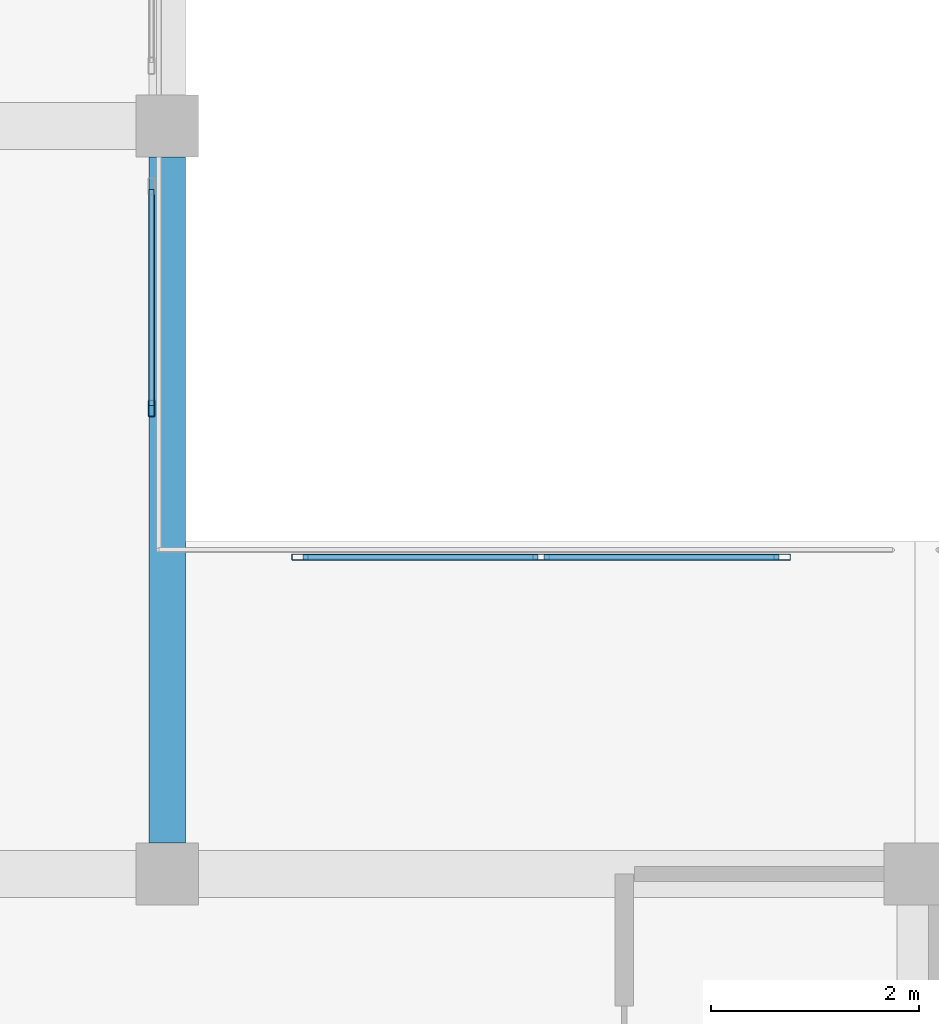
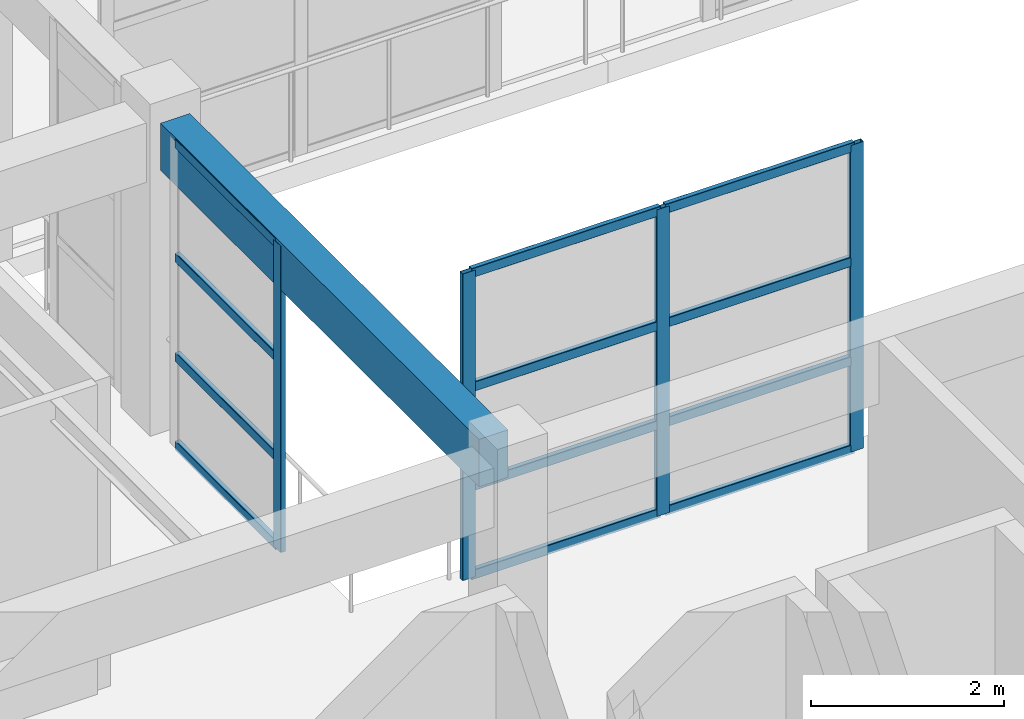
# One storey, part 15 of 49: 16 members, 1 beam, 2 elements without a shape of their own.
"""IFC4 building model written with IfcOpenShell, lengths in metres."""

from ifc_helpers import new_model, si_unit, direction, frame, origin, origin_2d, place, context, subcontext, project, spatial, rectangle, hollow_rectangle, extrude, material, material_profile, profile_set, type_object, element, aggregate, save


model = new_model("IFC4")

# Units and contexts
model_context = context("Model", 3, precision=1e-05, world=origin(), true_north=direction((0.0, 1.0)))
body_context = subcontext(model_context, "Body", "Model", "MODEL_VIEW")
ifc_project = project(units=[si_unit("LENGTHUNIT", "METRE"), si_unit("AREAUNIT", "SQUARE_METRE"), si_unit("VOLUMEUNIT", "CUBIC_METRE"), si_unit("PLANEANGLEUNIT", "RADIAN"), si_unit("MASSUNIT", "GRAM", prefix="KILO")], contexts=[model_context])

# Site, building, storey
site_placement = place(None, origin())
site = spatial("IfcSite", under=ifc_project, at=site_placement, CompositionType="ELEMENT")
building_placement = place(site_placement, origin())
building = spatial("IfcBuilding", under=site, at=building_placement, Name="Bramveld Media Centre", CompositionType="ELEMENT")
storey_placement = place(building_placement, frame((0.0, 0.0, 9.60009765625)))
storey = spatial("IfcBuildingStorey", under=building, at=storey_placement, Name="L02", CompositionType="ELEMENT", Elevation=9.60009765625)

# Beam
ifc_material_1 = material(Name="Concrete C40/50", Category="concrete")
ifc_material_profile_1 = material_profile(ifc_material_1, rectangle(XDim=0.35009765625, YDim=0.60009765625, at=origin_2d()), Name="RC 350x600")
ifc_profile_set_1 = profile_set([ifc_material_profile_1], Name="Concrete C40/50")
beam_type = type_object("IfcBeamType", Name="BM-INT-RC-350x600", PredefinedType="BEAM", material=ifc_profile_set_1)
beam_placement = place(storey_placement, frame((80.0, 97.89990234375, 3.619873046875), z_axis=(0.0, 1.0, 0.0), x_axis=(-1.0, 0.0, 0.0)))
element("IfcBeam", 1, at=beam_placement, inside=storey, type_object=beam_type, Name="V6 L02 girder Y-1099", PredefinedType="BEAM", context=body_context, shape_type="SweptSolid", body=[
    extrude(rectangle(XDim=0.35009765625, YDim=0.60009765625, at=origin_2d()), origin(), (0.0, 0.0, 1.0), 6.60009765625),
])

# Curtain wall, members
ifc_material_2 = material(Name="Thermally broken anodized bronze aluminium unitized curtain wall with solar-control triple glazing", Category="aluminium")
curtain_wall_type_1 = type_object("IfcCurtainWallType", Name="CW-ATR-4700x3880", PredefinedType="NOTDEFINED", material=ifc_material_2)
curtain_wall_1_placement = place(storey_placement, origin())
curtain_wall_1 = element("IfcCurtainWall", 2, at=curtain_wall_1_placement, inside=storey, type_object=curtain_wall_type_1, Name="V6 L02 atrium acoustic screen S1-1", PredefinedType="NOTDEFINED")
ifc_material_3 = material(Name="Thermally broken anodized bronze aluminium EN AW-6063 T6 curtain-wall framing", Category="aluminium")
ifc_material_profile_2 = material_profile(ifc_material_3, hollow_rectangle(XDim=0.06005859375, YDim=0.159912109375, WallThickness=0.00390625, InnerFilletRadius=0.00390625, OuterFilletRadius=0.008056640625, at=origin_2d()), Name="AL-MULL 60x160")
ifc_profile_set_2 = profile_set([ifc_material_profile_2], Name="Thermally broken anodized bronze aluminium EN AW-6063 T6 curtain-wall framing")
member_type_1 = type_object("IfcMemberType", Name="CW-MULL-INT", PredefinedType="MULLION", material=ifc_profile_set_2)
member_1_placement = place(storey_placement, frame((81.280029296875, 100.64990234375, 0.0), z_axis=(0.0, 0.0, 1.0), x_axis=(0.0, 1.0, 0.0)))
member_1 = element("IfcMember", 3, at=member_1_placement, type_object=member_type_1, Name="CW-AT-4738 mullion 1", PredefinedType="MULLION", context=body_context, shape_type="SweptSolid", body=[
    extrude(hollow_rectangle(XDim=0.06005859375, YDim=0.159912109375, WallThickness=0.00390625, InnerFilletRadius=0.00390625, OuterFilletRadius=0.008056640625, at=origin_2d()), origin(), (0.0, 0.0, 1.0), 3.8798828125),
])
member_2_placement = place(storey_placement, frame((83.60009765625, 100.64990234375, 0.0), z_axis=(0.0, 0.0, 1.0), x_axis=(0.0, 1.0, 0.0)))
member_2 = element("IfcMember", 4, at=member_2_placement, type_object=member_type_1, Name="CW-AT-4738 mullion 2", PredefinedType="MULLION", context=body_context, shape_type="SweptSolid", body=[
    extrude(hollow_rectangle(XDim=0.06005859375, YDim=0.159912109375, WallThickness=0.00390625, InnerFilletRadius=0.00390625, OuterFilletRadius=0.008056640625, at=origin_2d()), origin(), (0.0, 0.0, 1.0), 3.8798828125),
])
member_3_placement = place(storey_placement, frame((85.919921875, 100.64990234375, 0.0), z_axis=(0.0, 0.0, 1.0), x_axis=(0.0, 1.0, 0.0)))
member_3 = element("IfcMember", 5, at=member_3_placement, type_object=member_type_1, Name="CW-AT-4738 mullion 3", PredefinedType="MULLION", context=body_context, shape_type="SweptSolid", body=[
    extrude(hollow_rectangle(XDim=0.06005859375, YDim=0.159912109375, WallThickness=0.00390625, InnerFilletRadius=0.00390625, OuterFilletRadius=0.008056640625, at=origin_2d()), origin(), (0.0, 0.0, 1.0), 3.8798828125),
])

# Curtain wall, member
ifc_material_4 = material(Name="Thermally broken anodized bronze aluminium unitized curtain wall with solar-control triple glazing", Category="aluminium")
curtain_wall_type_2 = type_object("IfcCurtainWallType", Name="CW-ATR-2200x3880", PredefinedType="NOTDEFINED", material=ifc_material_4)
curtain_wall_2_placement = place(storey_placement, origin())
curtain_wall_2 = element("IfcCurtainWall", 6, at=curtain_wall_2_placement, inside=storey, type_object=curtain_wall_type_2, Name="V6 L02 atrium acoustic screen W-1", PredefinedType="NOTDEFINED")
member_4_placement = place(storey_placement, frame((79.85009765625, 102.080078125, 0.0), z_axis=(0.0, 0.0, 1.0), x_axis=(-1.0, 0.0, 0.0)))
member_4 = element("IfcMember", 7, at=member_4_placement, type_object=member_type_1, Name="CW-AT-2238 mullion 1", PredefinedType="MULLION", context=body_context, shape_type="SweptSolid", body=[
    extrude(hollow_rectangle(XDim=0.06005859375, YDim=0.159912109375, WallThickness=0.00390625, InnerFilletRadius=0.00390625, OuterFilletRadius=0.008056640625, at=origin_2d()), origin(), (0.0, 0.0, 1.0), 3.8798828125),
])

# Member
ifc_material_5 = material(Name="Thermally broken anodized bronze aluminium EN AW-6063 T6 curtain-wall framing", Category="aluminium")
ifc_material_profile_3 = material_profile(ifc_material_5, hollow_rectangle(XDim=0.06005859375, YDim=0.1201171875, WallThickness=0.00341796875, InnerFilletRadius=0.00341796875, OuterFilletRadius=0.007080078125, at=origin_2d()), Name="AL-TRAN 60x120")
ifc_profile_set_3 = profile_set([ifc_material_profile_3], Name="Thermally broken anodized bronze aluminium EN AW-6063 T6 curtain-wall framing")
member_type_2 = type_object("IfcMemberType", Name="CW-TRAN-INT", PredefinedType="USERDEFINED", material=ifc_profile_set_3)
member_5_placement = place(storey_placement, frame((81.31005859375, 100.64990234375, 0.02978515625), z_axis=(1.0, 0.0, 0.0), x_axis=(0.0, 1.0, 0.0)))
member_5 = element("IfcMember", 8, at=member_5_placement, type_object=member_type_2, Name="CW-AT-4738 transom 1.1", ObjectType="TRANSOM", PredefinedType="USERDEFINED", context=body_context, shape_type="SweptSolid", body=[
    extrude(hollow_rectangle(XDim=0.06005859375, YDim=0.1201171875, WallThickness=0.00341796875, InnerFilletRadius=0.00341796875, OuterFilletRadius=0.007080078125, at=origin_2d()), origin(), (0.0, 0.0, 1.0), 2.260009765625),
])

member_6_placement = place(storey_placement, frame((81.31005859375, 100.64990234375, 1.14990234375), z_axis=(1.0, 0.0, 0.0), x_axis=(0.0, 1.0, 0.0)))
member_6 = element("IfcMember", 9, at=member_6_placement, type_object=member_type_2, Name="CW-AT-4738 transom 1.2", ObjectType="TRANSOM", PredefinedType="USERDEFINED", context=body_context, shape_type="SweptSolid", body=[
    extrude(hollow_rectangle(XDim=0.06005859375, YDim=0.1201171875, WallThickness=0.00341796875, InnerFilletRadius=0.00341796875, OuterFilletRadius=0.007080078125, at=origin_2d()), origin(), (0.0, 0.0, 1.0), 2.260009765625),
])

member_7_placement = place(storey_placement, frame((81.31005859375, 100.64990234375, 2.406005859375), z_axis=(1.0, 0.0, 0.0), x_axis=(0.0, 1.0, 0.0)))
member_7 = element("IfcMember", 10, at=member_7_placement, type_object=member_type_2, Name="CW-AT-4738 transom 1.3", ObjectType="TRANSOM", PredefinedType="USERDEFINED", context=body_context, shape_type="SweptSolid", body=[
    extrude(hollow_rectangle(XDim=0.06005859375, YDim=0.1201171875, WallThickness=0.00341796875, InnerFilletRadius=0.00341796875, OuterFilletRadius=0.007080078125, at=origin_2d()), origin(), (0.0, 0.0, 1.0), 2.260009765625),
])

member_8_placement = place(storey_placement, frame((81.31005859375, 100.64990234375, 3.849853515625), z_axis=(1.0, 0.0, 0.0), x_axis=(0.0, 1.0, 0.0)))
member_8 = element("IfcMember", 11, at=member_8_placement, type_object=member_type_2, Name="CW-AT-4738 transom 1.4", ObjectType="TRANSOM", PredefinedType="USERDEFINED", context=body_context, shape_type="SweptSolid", body=[
    extrude(hollow_rectangle(XDim=0.06005859375, YDim=0.1201171875, WallThickness=0.00341796875, InnerFilletRadius=0.00341796875, OuterFilletRadius=0.007080078125, at=origin_2d()), origin(), (0.0, 0.0, 1.0), 2.260009765625),
])

member_9_placement = place(storey_placement, frame((83.6298828125, 100.64990234375, 0.02978515625), z_axis=(1.0, 0.0, 0.0), x_axis=(0.0, 1.0, 0.0)))
member_9 = element("IfcMember", 12, at=member_9_placement, type_object=member_type_2, Name="CW-AT-4738 transom 2.1", ObjectType="TRANSOM", PredefinedType="USERDEFINED", context=body_context, shape_type="SweptSolid", body=[
    extrude(hollow_rectangle(XDim=0.06005859375, YDim=0.1201171875, WallThickness=0.00341796875, InnerFilletRadius=0.00341796875, OuterFilletRadius=0.007080078125, at=origin_2d()), origin(), (0.0, 0.0, 1.0), 2.260009765625),
])

member_10_placement = place(storey_placement, frame((83.6298828125, 100.64990234375, 1.14990234375), z_axis=(1.0, 0.0, 0.0), x_axis=(0.0, 1.0, 0.0)))
member_10 = element("IfcMember", 13, at=member_10_placement, type_object=member_type_2, Name="CW-AT-4738 transom 2.2", ObjectType="TRANSOM", PredefinedType="USERDEFINED", context=body_context, shape_type="SweptSolid", body=[
    extrude(hollow_rectangle(XDim=0.06005859375, YDim=0.1201171875, WallThickness=0.00341796875, InnerFilletRadius=0.00341796875, OuterFilletRadius=0.007080078125, at=origin_2d()), origin(), (0.0, 0.0, 1.0), 2.260009765625),
])

member_11_placement = place(storey_placement, frame((83.6298828125, 100.64990234375, 2.406005859375), z_axis=(1.0, 0.0, 0.0), x_axis=(0.0, 1.0, 0.0)))
member_11 = element("IfcMember", 14, at=member_11_placement, type_object=member_type_2, Name="CW-AT-4738 transom 2.3", ObjectType="TRANSOM", PredefinedType="USERDEFINED", context=body_context, shape_type="SweptSolid", body=[
    extrude(hollow_rectangle(XDim=0.06005859375, YDim=0.1201171875, WallThickness=0.00341796875, InnerFilletRadius=0.00341796875, OuterFilletRadius=0.007080078125, at=origin_2d()), origin(), (0.0, 0.0, 1.0), 2.260009765625),
])

member_12_placement = place(storey_placement, frame((83.6298828125, 100.64990234375, 3.849853515625), z_axis=(1.0, 0.0, 0.0), x_axis=(0.0, 1.0, 0.0)))
member_12 = element("IfcMember", 15, at=member_12_placement, type_object=member_type_2, Name="CW-AT-4738 transom 2.4", ObjectType="TRANSOM", PredefinedType="USERDEFINED", context=body_context, shape_type="SweptSolid", body=[
    extrude(hollow_rectangle(XDim=0.06005859375, YDim=0.1201171875, WallThickness=0.00341796875, InnerFilletRadius=0.00341796875, OuterFilletRadius=0.007080078125, at=origin_2d()), origin(), (0.0, 0.0, 1.0), 2.260009765625),
])

aggregate(curtain_wall_1, [member_1, member_2, member_3, member_5, member_6, member_7, member_8, member_9, member_10, member_11, member_12])

member_13_placement = place(storey_placement, frame((79.85009765625, 102.110107421875, 0.02978515625), z_axis=(0.0, 1.0, 0.0), x_axis=(-1.0, 0.0, 0.0)))
member_13 = element("IfcMember", 16, at=member_13_placement, type_object=member_type_2, Name="CW-AT-2238 transom 1.1", ObjectType="TRANSOM", PredefinedType="USERDEFINED", context=body_context, shape_type="SweptSolid", body=[
    extrude(hollow_rectangle(XDim=0.06005859375, YDim=0.1201171875, WallThickness=0.00341796875, InnerFilletRadius=0.00341796875, OuterFilletRadius=0.007080078125, at=origin_2d()), origin(), (0.0, 0.0, 1.0), 2.079833984375),
])

member_14_placement = place(storey_placement, frame((79.85009765625, 102.110107421875, 1.14990234375), z_axis=(0.0, 1.0, 0.0), x_axis=(-1.0, 0.0, 0.0)))
member_14 = element("IfcMember", 17, at=member_14_placement, type_object=member_type_2, Name="CW-AT-2238 transom 1.2", ObjectType="TRANSOM", PredefinedType="USERDEFINED", context=body_context, shape_type="SweptSolid", body=[
    extrude(hollow_rectangle(XDim=0.06005859375, YDim=0.1201171875, WallThickness=0.00341796875, InnerFilletRadius=0.00341796875, OuterFilletRadius=0.007080078125, at=origin_2d()), origin(), (0.0, 0.0, 1.0), 2.079833984375),
])

member_15_placement = place(storey_placement, frame((79.85009765625, 102.110107421875, 2.406005859375), z_axis=(0.0, 1.0, 0.0), x_axis=(-1.0, 0.0, 0.0)))
member_15 = element("IfcMember", 18, at=member_15_placement, type_object=member_type_2, Name="CW-AT-2238 transom 1.3", ObjectType="TRANSOM", PredefinedType="USERDEFINED", context=body_context, shape_type="SweptSolid", body=[
    extrude(hollow_rectangle(XDim=0.06005859375, YDim=0.1201171875, WallThickness=0.00341796875, InnerFilletRadius=0.00341796875, OuterFilletRadius=0.007080078125, at=origin_2d()), origin(), (0.0, 0.0, 1.0), 2.079833984375),
])

member_16_placement = place(storey_placement, frame((79.85009765625, 102.110107421875, 3.849853515625), z_axis=(0.0, 1.0, 0.0), x_axis=(-1.0, 0.0, 0.0)))
member_16 = element("IfcMember", 19, at=member_16_placement, type_object=member_type_2, Name="CW-AT-2238 transom 1.4", ObjectType="TRANSOM", PredefinedType="USERDEFINED", context=body_context, shape_type="SweptSolid", body=[
    extrude(hollow_rectangle(XDim=0.06005859375, YDim=0.1201171875, WallThickness=0.00341796875, InnerFilletRadius=0.00341796875, OuterFilletRadius=0.007080078125, at=origin_2d()), origin(), (0.0, 0.0, 1.0), 2.079833984375),
])

aggregate(curtain_wall_2, [member_4, member_13, member_14, member_15, member_16])

save(model, "model.ifc")
